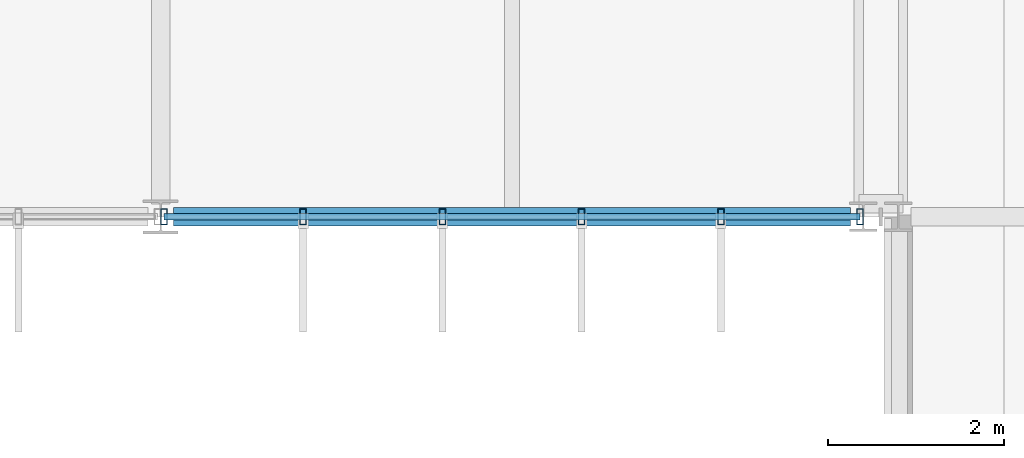
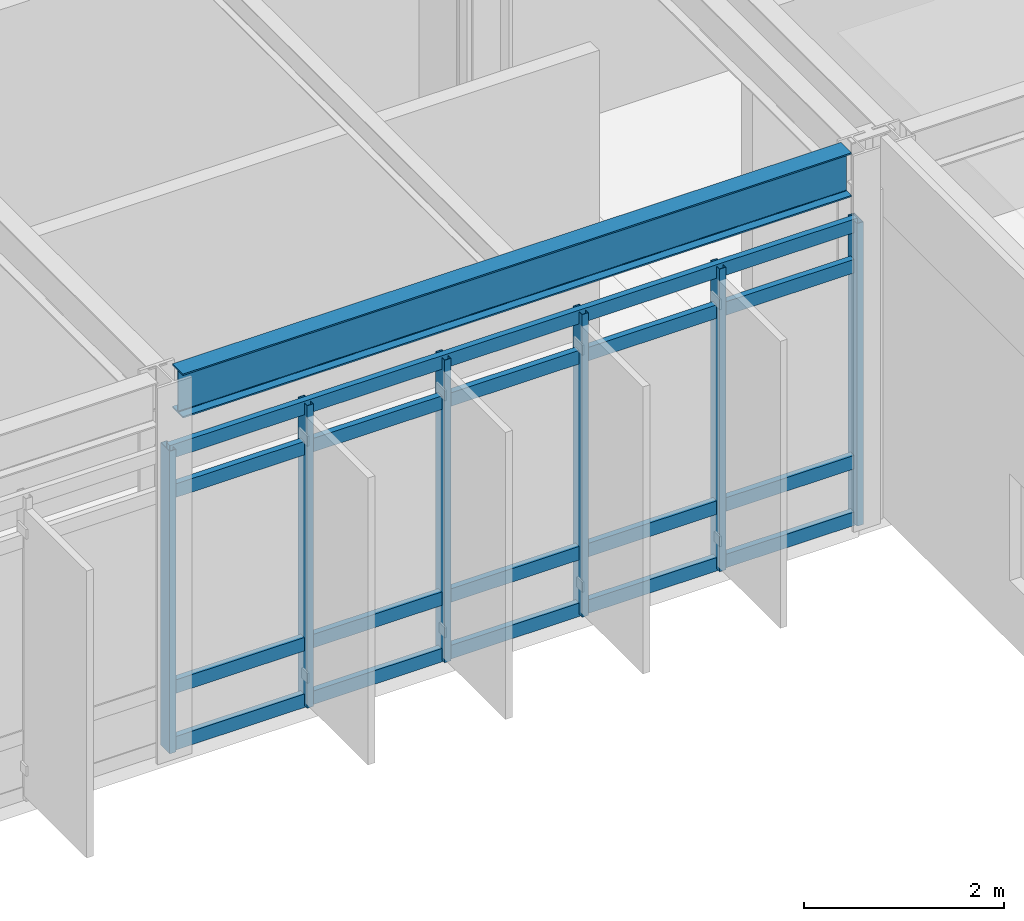
# One storey, part 42 of 104: 10 members, 1 beam, 1 element without a shape of its own.
"""IFC4 building model written with IfcOpenShell, lengths in metres."""

from ifc_helpers import new_model, si_unit, direction, frame, origin, origin_2d, place, context, subcontext, project, spatial, hollow_rectangle, i_section, extrude, material, material_profile, profile_set, type_object, element, aggregate, save


model = new_model("IFC4")

# Units and contexts
model_context = context("Model", 3, precision=1e-05, world=origin(), true_north=direction((0.0, 1.0)))
body_context = subcontext(model_context, "Body", "Model", "MODEL_VIEW")
ifc_project = project(units=[si_unit("LENGTHUNIT", "METRE"), si_unit("AREAUNIT", "SQUARE_METRE"), si_unit("VOLUMEUNIT", "CUBIC_METRE"), si_unit("PLANEANGLEUNIT", "RADIAN"), si_unit("MASSUNIT", "GRAM", prefix="KILO")], contexts=[model_context])

# Site, building, storey
site_placement = place(None, origin())
site = spatial("IfcSite", under=ifc_project, at=site_placement, CompositionType="ELEMENT")
building_placement = place(site_placement, origin())
building = spatial("IfcBuilding", under=site, at=building_placement, Name="Zulena Civic Courthouse", CompositionType="ELEMENT")
storey_placement = place(building_placement, frame((0.0, 0.0, 15.60009765625)))
storey = spatial("IfcBuildingStorey", under=building, at=storey_placement, Name="L03", CompositionType="ELEMENT", Elevation=15.60009765625)

# Curtain wall, members
ifc_material_1 = material(Name="Double-silver low-E laminated solar-control glass", Category="glass")
curtain_wall_type = type_object("IfcCurtainWallType", Name="CW_7928x3690", PredefinedType="USERDEFINED", material=ifc_material_1)
curtain_wall_placement = place(storey_placement, origin())
curtain_wall = element("IfcCurtainWall", 1, at=curtain_wall_placement, inside=storey, type_object=curtain_wall_type, Name="cw:V4:L03:3:0", ObjectType="UNITISED CURTAIN WALL", PredefinedType="USERDEFINED")
ifc_material_2 = material(Name="Bronze anodised thermally broken aluminium AA6063-T6", Category="aluminium")
ifc_material_profile_1 = material_profile(ifc_material_2, hollow_rectangle(XDim=0.074951171875, YDim=0.179931640625, WallThickness=0.0048828125, at=origin_2d()), Name="CWM180X75X5")
ifc_profile_set_1 = profile_set([ifc_material_profile_1], Name="Bronze anodised thermally broken aluminium AA6063-T6")
member_type_1 = type_object("IfcMemberType", Name="CWMullion_180x75", PredefinedType="MULLION", material=ifc_profile_set_1)
member_1_placement = place(storey_placement, frame((123.964111328125, 15.199951171875, 0.0), z_axis=(0.0, 0.0, 1.0), x_axis=(1.0, 0.0, 0.0)))
member_1 = element("IfcMember", 2, at=member_1_placement, type_object=member_type_1, Name="cw:V4:L03:3:0:mull:0", PredefinedType="MULLION", context=body_context, shape_type="SweptSolid", body=[
    extrude(hollow_rectangle(XDim=0.074951171875, YDim=0.179931640625, WallThickness=0.0048828125, at=origin_2d()), origin(), (0.0, 0.0, 1.0), 3.68994140625),
])
member_2_placement = place(storey_placement, frame((122.37841796875, 15.199951171875, 0.0), z_axis=(0.0, 0.0, 1.0), x_axis=(1.0, 0.0, 0.0)))
member_2 = element("IfcMember", 3, at=member_2_placement, type_object=member_type_1, Name="cw:V4:L03:3:0:mull:1", PredefinedType="MULLION", context=body_context, shape_type="SweptSolid", body=[
    extrude(hollow_rectangle(XDim=0.074951171875, YDim=0.179931640625, WallThickness=0.0048828125, at=origin_2d()), origin(), (0.0, 0.0, 1.0), 3.68994140625),
])
member_3_placement = place(storey_placement, frame((120.792724609375, 15.199951171875, 0.0), z_axis=(0.0, 0.0, 1.0), x_axis=(1.0, 0.0, 0.0)))
member_3 = element("IfcMember", 4, at=member_3_placement, type_object=member_type_1, Name="cw:V4:L03:3:0:mull:2", PredefinedType="MULLION", context=body_context, shape_type="SweptSolid", body=[
    extrude(hollow_rectangle(XDim=0.074951171875, YDim=0.179931640625, WallThickness=0.0048828125, at=origin_2d()), origin(), (0.0, 0.0, 1.0), 3.68994140625),
])
member_4_placement = place(storey_placement, frame((119.207275390625, 15.199951171875, 0.0), z_axis=(0.0, 0.0, 1.0), x_axis=(1.0, 0.0, 0.0)))
member_4 = element("IfcMember", 5, at=member_4_placement, type_object=member_type_1, Name="cw:V4:L03:3:0:mull:3", PredefinedType="MULLION", context=body_context, shape_type="SweptSolid", body=[
    extrude(hollow_rectangle(XDim=0.074951171875, YDim=0.179931640625, WallThickness=0.0048828125, at=origin_2d()), origin(), (0.0, 0.0, 1.0), 3.68994140625),
])
member_5_placement = place(storey_placement, frame((117.62158203125, 15.199951171875, 0.0), z_axis=(0.0, 0.0, 1.0), x_axis=(1.0, 0.0, 0.0)))
member_5 = element("IfcMember", 6, at=member_5_placement, type_object=member_type_1, Name="cw:V4:L03:3:0:mull:4", PredefinedType="MULLION", context=body_context, shape_type="SweptSolid", body=[
    extrude(hollow_rectangle(XDim=0.074951171875, YDim=0.179931640625, WallThickness=0.0048828125, at=origin_2d()), origin(), (0.0, 0.0, 1.0), 3.68994140625),
])
member_6_placement = place(storey_placement, frame((116.035888671875, 15.199951171875, 0.0), z_axis=(0.0, 0.0, 1.0), x_axis=(1.0, 0.0, 0.0)))
member_6 = element("IfcMember", 7, at=member_6_placement, type_object=member_type_1, Name="cw:V4:L03:3:0:mull:5", PredefinedType="MULLION", context=body_context, shape_type="SweptSolid", body=[
    extrude(hollow_rectangle(XDim=0.074951171875, YDim=0.179931640625, WallThickness=0.0048828125, at=origin_2d()), origin(), (0.0, 0.0, 1.0), 3.68994140625),
])
ifc_material_profile_2 = material_profile(ifc_material_2, hollow_rectangle(XDim=0.070068359375, YDim=0.1650390625, WallThickness=0.00390625, at=origin_2d()), Name="CWT165X70X4")
ifc_profile_set_2 = profile_set([ifc_material_profile_2], Name="Bronze anodised thermally broken aluminium AA6063-T6")
member_type_2 = type_object("IfcMemberType", Name="CWTransom_165x70", PredefinedType="USERDEFINED", material=ifc_profile_set_2)
member_7_placement = place(storey_placement, frame((123.964111328125, 15.199951171875, 0.059814453125), z_axis=(-1.0, 0.0, 0.0), x_axis=(0.0, -1.0, 0.0)))
member_7 = element("IfcMember", 8, at=member_7_placement, type_object=member_type_2, Name="cw:V4:L03:3:0:tran:0", ObjectType="TRANSOM", PredefinedType="USERDEFINED", context=body_context, shape_type="SweptSolid", body=[
    extrude(hollow_rectangle(XDim=0.070068359375, YDim=0.1650390625, WallThickness=0.00390625, at=origin_2d()), origin(), (0.0, 0.0, 1.0), 7.92822265625),
])
member_8_placement = place(storey_placement, frame((123.964111328125, 15.199951171875, 0.75), z_axis=(-1.0, 0.0, 0.0), x_axis=(0.0, -1.0, 0.0)))
member_8 = element("IfcMember", 9, at=member_8_placement, type_object=member_type_2, Name="cw:V4:L03:3:0:tran:1", ObjectType="TRANSOM", PredefinedType="USERDEFINED", context=body_context, shape_type="SweptSolid", body=[
    extrude(hollow_rectangle(XDim=0.070068359375, YDim=0.1650390625, WallThickness=0.00390625, at=origin_2d()), origin(), (0.0, 0.0, 1.0), 7.92822265625),
])
member_9_placement = place(storey_placement, frame((123.964111328125, 15.199951171875, 3.139892578125), z_axis=(-1.0, 0.0, 0.0), x_axis=(0.0, -1.0, 0.0)))
member_9 = element("IfcMember", 10, at=member_9_placement, type_object=member_type_2, Name="cw:V4:L03:3:0:tran:2", ObjectType="TRANSOM", PredefinedType="USERDEFINED", context=body_context, shape_type="SweptSolid", body=[
    extrude(hollow_rectangle(XDim=0.070068359375, YDim=0.1650390625, WallThickness=0.00390625, at=origin_2d()), origin(), (0.0, 0.0, 1.0), 7.92822265625),
])
member_10_placement = place(storey_placement, frame((123.964111328125, 15.199951171875, 3.6298828125), z_axis=(-1.0, 0.0, 0.0), x_axis=(0.0, -1.0, 0.0)))
member_10 = element("IfcMember", 11, at=member_10_placement, type_object=member_type_2, Name="cw:V4:L03:3:0:tran:3", ObjectType="TRANSOM", PredefinedType="USERDEFINED", context=body_context, shape_type="SweptSolid", body=[
    extrude(hollow_rectangle(XDim=0.070068359375, YDim=0.1650390625, WallThickness=0.00390625, at=origin_2d()), origin(), (0.0, 0.0, 1.0), 7.92822265625),
])
aggregate(curtain_wall, [member_1, member_2, member_3, member_4, member_5, member_6, member_7, member_8, member_9, member_10])

# Beam
ifc_material_3 = material(Name="Steel ASTM A992 Grade 50", Category="steel")
ifc_material_profile_3 = material_profile(ifc_material_3, i_section(OverallWidth=0.2099609375, OverallDepth=0.537109375, WebThickness=0.010986328125, FlangeThickness=0.017333984375, FilletRadius=0.0126953125, at=origin_2d()), Name="W21X68")
ifc_profile_set_3 = profile_set([ifc_material_profile_3], Name="Steel ASTM A992 Grade 50")
beam_type = type_object("IfcBeamType", Name="Spandrel_W21X68", PredefinedType="SPANDREL", material=ifc_profile_set_3)
beam_placement = place(storey_placement, frame((116.14501953125, 15.199951171875, 4.3212890625), z_axis=(1.0, 0.0, 0.0), x_axis=(0.0, 1.0, 0.0)))
element("IfcBeam", 12, at=beam_placement, inside=storey, type_object=beam_type, Name="beam:X:V4:L03:15.2:116.0_124.0", PredefinedType="SPANDREL", context=body_context, shape_type="SweptSolid", body=[
    extrude(i_section(OverallWidth=0.2099609375, OverallDepth=0.537109375, WebThickness=0.010986328125, FlangeThickness=0.017333984375, FilletRadius=0.0126953125, at=origin_2d()), origin(), (0.0, 0.0, 1.0), 7.7099609375),
])

save(model, "model.ifc")
